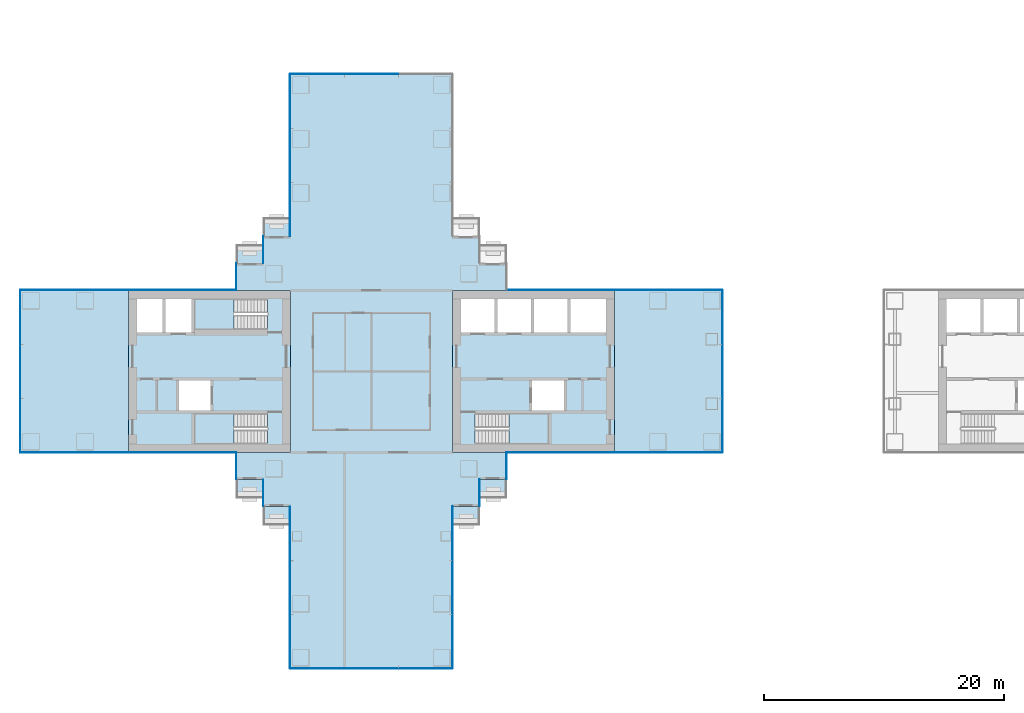
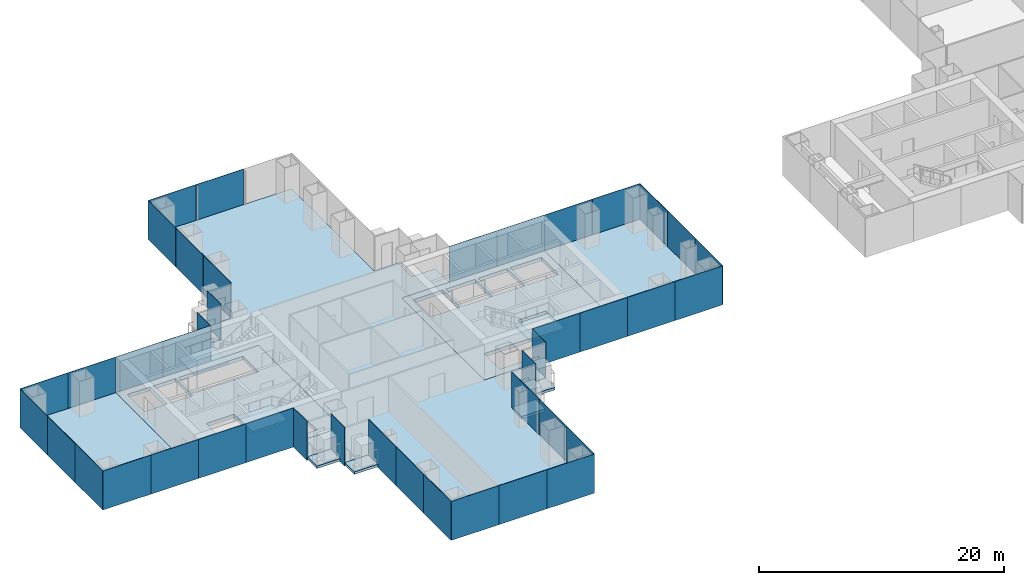
# One storey, part 11 of 21: 42 plates, 14 slabs, 21 elements without a shape of their own.
"""IFC4 building model written with IfcOpenShell, lengths in metres."""

from ifc_helpers import new_model, si_unit, direction, frame, origin, origin_2d, place, context, subcontext, project, spatial, polyline, rectangle, outline, extrude, material, layer, layer_set, type_object, element, aggregate, save


model = new_model("IFC4")

# Units and contexts
model_context = context("Model", 3, precision=1e-05, world=origin(), true_north=direction((0.0, 1.0)))
body_context = subcontext(model_context, "Body", "Model", "MODEL_VIEW")
ifc_project = project(units=[si_unit("LENGTHUNIT", "METRE"), si_unit("AREAUNIT", "SQUARE_METRE"), si_unit("VOLUMEUNIT", "CUBIC_METRE"), si_unit("PLANEANGLEUNIT", "RADIAN"), si_unit("MASSUNIT", "GRAM", prefix="KILO")], contexts=[model_context])

# Site, building, storey
site_placement = place(None, origin())
site = spatial("IfcSite", under=ifc_project, at=site_placement, CompositionType="ELEMENT")
building_placement = place(site_placement, origin())
building = spatial("IfcBuilding", under=site, at=building_placement, Name="Shamsa Quay Exchange Towers", CompositionType="ELEMENT")
storey_placement = place(building_placement, frame((0.0, 0.0, 65.39990234375)))
storey = spatial("IfcBuildingStorey", under=building, at=storey_placement, Name="L14", CompositionType="ELEMENT", Elevation=65.39990234375)

# Slabs
ifc_material_1 = material(Name="Precast concrete C40/50", Category="concrete")
ifc_layer_1 = layer(ifc_material_1, 0.25)
ifc_layer_set_1 = layer_set([ifc_layer_1], Name="BALCONY SLAB 250")
slab_type_1 = type_object("IfcSlabType", Name="BALCONY SLAB 250", PredefinedType="FLOOR", material=ifc_layer_set_1)
slab_1_placement = place(storey_placement, frame((0.0, 0.0, -0.25)))
element("IfcSlab", 1, at=slab_1_placement, inside=storey, type_object=slab_type_1, Name="Balcony T1-PKES L14", PredefinedType="FLOOR", context=body_context, shape_type="SweptSolid", body=[
    extrude(outline(polyline([(-24.7119140625, -9.0), (-22.5, -9.0), (-22.5, -10.550048828125), (-24.7119140625, -10.550048828125), (-24.7119140625, -9.0)])), origin(), (0.0, 0.0, 1.0), 0.25),
])
slab_2_placement = place(storey_placement, frame((0.0, 0.0, -0.25)))
element("IfcSlab", 2, at=slab_2_placement, inside=storey, type_object=slab_type_1, Name="Balcony T1-PKES L14", PredefinedType="FLOOR", context=body_context, shape_type="SweptSolid", body=[
    extrude(outline(polyline([(-26.9619140625, -11.25), (-24.75, -11.25), (-24.75, -12.800048828125), (-26.9619140625, -12.800048828125), (-26.9619140625, -11.25)])), origin(), (0.0, 0.0, 1.0), 0.25),
])
slab_3_placement = place(storey_placement, frame((0.0, 0.0, -0.25)))
element("IfcSlab", 3, at=slab_3_placement, inside=storey, type_object=slab_type_1, Name="Balcony T1-PKWN L14", PredefinedType="FLOOR", context=body_context, shape_type="SweptSolid", body=[
    extrude(outline(polyline([(-40.5380859375, 11.25), (-42.75, 11.25), (-42.75, 12.800048828125), (-40.5380859375, 12.800048828125), (-40.5380859375, 11.25)])), origin(), (0.0, 0.0, 1.0), 0.25),
])
slab_4_placement = place(storey_placement, frame((0.0, 0.0, -0.25)))
element("IfcSlab", 4, at=slab_4_placement, inside=storey, type_object=slab_type_1, Name="Balcony T1-PKWN L14", PredefinedType="FLOOR", context=body_context, shape_type="SweptSolid", body=[
    extrude(outline(polyline([(-42.7880859375, 9.0), (-45.0, 9.0), (-45.0, 10.550048828125), (-42.7880859375, 10.550048828125), (-42.7880859375, 9.0)])), origin(), (0.0, 0.0, 1.0), 0.25),
])
slab_5_placement = place(storey_placement, frame((0.0, 0.0, -0.25)))
element("IfcSlab", 5, at=slab_5_placement, inside=storey, type_object=slab_type_1, Name="Balcony T1-PKWS L14", PredefinedType="FLOOR", context=body_context, shape_type="SweptSolid", body=[
    extrude(outline(polyline([(-45.0, -9.0), (-42.7880859375, -9.0), (-42.7880859375, -10.550048828125), (-45.0, -10.550048828125), (-45.0, -9.0)])), origin(), (0.0, 0.0, 1.0), 0.25),
])
slab_6_placement = place(storey_placement, frame((0.0, 0.0, -0.25)))
element("IfcSlab", 6, at=slab_6_placement, inside=storey, type_object=slab_type_1, Name="Balcony T1-PKWS L14", PredefinedType="FLOOR", context=body_context, shape_type="SweptSolid", body=[
    extrude(outline(polyline([(-42.75, -11.25), (-40.5380859375, -11.25), (-40.5380859375, -12.800048828125), (-42.75, -12.800048828125), (-42.75, -11.25)])), origin(), (0.0, 0.0, 1.0), 0.25),
])
ifc_material_2 = material(Name="Concrete C50/60", Category="concrete")
ifc_layer_2 = layer(ifc_material_2, 0.35009765625)
ifc_layer_set_2 = layer_set([ifc_layer_2], Name="CORE FLOOR 350 C50/60")
slab_type_2 = type_object("IfcSlabType", Name="CORE FLOOR 350 C50/60", PredefinedType="FLOOR", material=ifc_layer_set_2)
slab_7_placement = place(storey_placement, frame((0.0, 0.0, -0.349853515625)))
element("IfcSlab", 7, at=slab_7_placement, inside=storey, type_object=slab_type_2, Name="Core floor T1A", PredefinedType="FLOOR", context=body_context, shape_type="SweptSolid", body=[
    extrude(outline(polyline([(-27.0, -6.75), (-13.5, -6.75), (-13.5, 6.75), (-27.0, 6.75), (-27.0, -6.75)]), holes=[polyline([(-25.099365234375, -6.050048828125), (-25.099365234375, -3.5), (-19.0, -3.5), (-19.0, -6.050048828125), (-25.099365234375, -6.050048828125)]), polyline([(-26.300048828125, 3.25), (-26.300048828125, 6.050048828125), (-23.5, 6.050048828125), (-23.5, 3.25), (-26.300048828125, 3.25)]), polyline([(-23.25, 3.25), (-23.25, 6.050048828125), (-20.449951171875, 6.050048828125), (-20.449951171875, 3.25), (-23.25, 3.25)]), polyline([(-20.199951171875, 3.25), (-20.199951171875, 6.050048828125), (-17.39990234375, 6.050048828125), (-17.39990234375, 3.25), (-20.199951171875, 3.25)]), polyline([(-17.14990234375, 3.25), (-17.14990234375, 6.050048828125), (-14.199951171875, 6.050048828125), (-14.199951171875, 3.25), (-17.14990234375, 3.25)]), polyline([(-20.35009765625, -3.25), (-20.35009765625, -0.75), (-17.699951171875, -0.75), (-17.699951171875, -3.25), (-20.35009765625, -3.25)])]), origin(), (0.0, 0.0, 1.0), 0.349853515625),
])
slab_8_placement = place(storey_placement, frame((0.0, 0.0, -0.349853515625)))
element("IfcSlab", 8, at=slab_8_placement, inside=storey, type_object=slab_type_2, Name="Core floor T1B", PredefinedType="FLOOR", context=body_context, shape_type="SweptSolid", body=[
    extrude(outline(polyline([(-40.5, -6.75), (-40.5, 6.75), (-54.0, 6.75), (-54.0, -6.75), (-40.5, -6.75)]), holes=[polyline([(-42.400634765625, -3.5), (-42.400634765625, -6.050048828125), (-48.5, -6.050048828125), (-48.5, -3.5), (-42.400634765625, -3.5)]), polyline([(-42.400634765625, 6.050048828125), (-42.400634765625, 3.5), (-48.5, 3.5), (-48.5, 6.050048828125), (-42.400634765625, 6.050048828125)]), polyline([(-48.75, 3.25), (-50.89990234375, 3.25), (-50.89990234375, 6.050048828125), (-48.75, 6.050048828125), (-48.75, 3.25)]), polyline([(-51.14990234375, 3.25), (-53.300048828125, 3.25), (-53.300048828125, 6.050048828125), (-51.14990234375, 6.050048828125), (-51.14990234375, 3.25)]), polyline([(-47.14990234375, -3.25), (-49.800048828125, -3.25), (-49.800048828125, -0.75), (-47.14990234375, -0.75), (-47.14990234375, -3.25)])]), origin(), (0.0, 0.0, 1.0), 0.349853515625),
])

# Stair, slab
ifc_material_3 = material(Name="Concrete C40/50", Category="concrete")
stair_type = type_object("IfcStairType", Name="EXIT STAIR 22 RISERS 177 MM", PredefinedType="HALF_TURN_STAIR", material=ifc_material_3)
stair_1_placement = place(storey_placement, origin())
stair_1 = element("IfcStair", 9, at=stair_1_placement, inside=storey, type_object=stair_type, Name="L14 Exit stair ST1", PredefinedType="HALF_TURN_STAIR")
ifc_layer_3 = layer(ifc_material_3, 0.199951171875)
ifc_layer_set_3 = layer_set([ifc_layer_3], Name="CORE STAIR LANDING")
slab_type_3 = type_object("IfcSlabType", Name="CORE STAIR LANDING", PredefinedType="LANDING", material=ifc_layer_set_3)
slab_9_placement = place(storey_placement, frame((0.0, 0.0, 1.75)))
slab_9 = element("IfcSlab", 10, at=slab_9_placement, type_object=slab_type_3, Name="ST1 landing 1", PredefinedType="LANDING", context=body_context, shape_type="SweptSolid", body=[
    extrude(outline(polyline([(-22.300048828125, -6.050048828125), (-19.0, -6.050048828125), (-19.0, -3.5), (-22.300048828125, -3.5), (-22.300048828125, -6.050048828125)])), origin(), (0.0, 0.0, 1.0), 0.2001953125),
])
aggregate(stair_1, [slab_9])

stair_2_placement = place(storey_placement, origin())
stair_2 = element("IfcStair", 11, at=stair_2_placement, inside=storey, type_object=stair_type, Name="L14 Exit stair ST2", PredefinedType="HALF_TURN_STAIR")
slab_10_placement = place(storey_placement, frame((0.0, 0.0, 1.75)))
slab_10 = element("IfcSlab", 12, at=slab_10_placement, type_object=slab_type_3, Name="ST2 landing 1", PredefinedType="LANDING", context=body_context, shape_type="SweptSolid", body=[
    extrude(outline(polyline([(-45.199951171875, -3.5), (-48.5, -3.5), (-48.5, -6.050048828125), (-45.199951171875, -6.050048828125), (-45.199951171875, -3.5)])), origin(), (0.0, 0.0, 1.0), 0.2001953125),
])
aggregate(stair_2, [slab_10])

stair_3_placement = place(storey_placement, origin())
stair_3 = element("IfcStair", 13, at=stair_3_placement, inside=storey, type_object=stair_type, Name="L14 Exit stair ST3", PredefinedType="HALF_TURN_STAIR")
slab_11_placement = place(storey_placement, frame((0.0, 0.0, 1.75)))
slab_11 = element("IfcSlab", 14, at=slab_11_placement, type_object=slab_type_3, Name="ST3 landing 1", PredefinedType="LANDING", context=body_context, shape_type="SweptSolid", body=[
    extrude(outline(polyline([(-45.199951171875, 6.050048828125), (-48.5, 6.050048828125), (-48.5, 3.5), (-45.199951171875, 3.5), (-45.199951171875, 6.050048828125)])), origin(), (0.0, 0.0, 1.0), 0.2001953125),
])
aggregate(stair_3, [slab_11])

# Curtain wall, plates
ifc_material_4 = material(Name="Aluminium EN AW-6063 T6, black anodised", Category="aluminium")
ifc_layer_4 = layer(ifc_material_4, 0.280029296875)
ifc_layer_set_4 = layer_set([ifc_layer_4], Name="CW-1 UNITISED VISION GLASS")
curtain_wall_type_1 = type_object("IfcCurtainWallType", Name="CW-1 UNITISED VISION GLASS", PredefinedType="NOTDEFINED", material=ifc_layer_set_4)
curtain_wall_1_placement = place(storey_placement, origin())
curtain_wall_1 = element("IfcCurtainWall", 15, at=curtain_wall_1_placement, inside=storey, type_object=curtain_wall_type_1, Name="CW1 T1-FLK-V-W L14", PredefinedType="NOTDEFINED")
ifc_material_5 = material(Name="Glass, laminated, dark tinted", Category="glass")
ifc_layer_5 = layer(ifc_material_5, 0.0400390625)
ifc_layer_set_5 = layer_set([ifc_layer_5], Name="CW-1 VISION GLASS 40")
plate_type_1 = type_object("IfcPlateType", Name="CW-1 VISION GLASS 40", PredefinedType="CURTAIN_PANEL", material=ifc_layer_set_5)
plate_1_placement = place(storey_placement, frame((-40.52001953125, -13.529052734375, -0.349853515625), z_axis=(0.0, 0.0, 1.0), x_axis=(0.0, -1.0, 0.0)))
plate_1 = element("IfcPlate", 16, at=plate_1_placement, type_object=plate_type_1, Name="CW1 glass panel", PredefinedType="CURTAIN_PANEL", context=body_context, shape_type="SweptSolid", body=[
    extrude(rectangle(XDim=4.482421875, YDim=0.0400390625, at=origin_2d()), origin(), (0.0, 0.0, 1.0), 3.89990234375),
])
plate_2_placement = place(storey_placement, frame((-40.52001953125, -18.01904296875, -0.349853515625), z_axis=(0.0, 0.0, 1.0), x_axis=(0.0, -1.0, 0.0)))
plate_2 = element("IfcPlate", 17, at=plate_2_placement, type_object=plate_type_1, Name="CW1 glass panel", PredefinedType="CURTAIN_PANEL", context=body_context, shape_type="SweptSolid", body=[
    extrude(rectangle(XDim=4.477294921875, YDim=0.0400390625, at=origin_2d()), origin(), (0.0, 0.0, 1.0), 3.89990234375),
])
plate_3_placement = place(storey_placement, frame((-40.52001953125, -22.5087890625, -0.349853515625), z_axis=(0.0, 0.0, 1.0), x_axis=(0.0, -1.0, 0.0)))
plate_3 = element("IfcPlate", 18, at=plate_3_placement, type_object=plate_type_1, Name="CW1 glass panel", PredefinedType="CURTAIN_PANEL", context=body_context, shape_type="SweptSolid", body=[
    extrude(rectangle(XDim=4.482421875, YDim=0.0400390625, at=origin_2d()), origin(), (0.0, 0.0, 1.0), 3.89990234375),
])
aggregate(curtain_wall_1, [plate_1, plate_2, plate_3])

curtain_wall_2_placement = place(storey_placement, origin())
curtain_wall_2 = element("IfcCurtainWall", 19, at=curtain_wall_2_placement, inside=storey, type_object=curtain_wall_type_1, Name="CW1 T1-END-V- L14", PredefinedType="NOTDEFINED")
plate_4_placement = place(storey_placement, frame((-38.25244140625, -24.77001953125, -0.349853515625)))
plate_4 = element("IfcPlate", 20, at=plate_4_placement, type_object=plate_type_1, Name="CW1 glass panel", PredefinedType="CURTAIN_PANEL", context=body_context, shape_type="SweptSolid", body=[
    extrude(rectangle(XDim=4.4951171875, YDim=0.0400390625, at=origin_2d()), origin(), (0.0, 0.0, 1.0), 3.89990234375),
])
plate_5_placement = place(storey_placement, frame((-33.75, -24.77001953125, -0.349853515625)))
plate_5 = element("IfcPlate", 21, at=plate_5_placement, type_object=plate_type_1, Name="CW1 glass panel", PredefinedType="CURTAIN_PANEL", context=body_context, shape_type="SweptSolid", body=[
    extrude(rectangle(XDim=4.489990234375, YDim=0.0400390625, at=origin_2d()), origin(), (0.0, 0.0, 1.0), 3.89990234375),
])
plate_6_placement = place(storey_placement, frame((-29.24755859375, -24.77001953125, -0.349853515625)))
plate_6 = element("IfcPlate", 22, at=plate_6_placement, type_object=plate_type_1, Name="CW1 glass panel", PredefinedType="CURTAIN_PANEL", context=body_context, shape_type="SweptSolid", body=[
    extrude(rectangle(XDim=4.4951171875, YDim=0.0400390625, at=origin_2d()), origin(), (0.0, 0.0, 1.0), 3.89990234375),
])
aggregate(curtain_wall_2, [plate_4, plate_5, plate_6])

curtain_wall_3_placement = place(storey_placement, origin())
curtain_wall_3 = element("IfcCurtainWall", 23, at=curtain_wall_3_placement, inside=storey, type_object=curtain_wall_type_1, Name="CW1 T1-FLK-V-E L14", PredefinedType="NOTDEFINED")
plate_7_placement = place(storey_placement, frame((-26.97998046875, -22.50244140625, -0.349853515625), z_axis=(0.0, 0.0, 1.0), x_axis=(0.0, 1.0, 0.0)))
plate_7 = element("IfcPlate", 24, at=plate_7_placement, type_object=plate_type_1, Name="CW1 glass panel", PredefinedType="CURTAIN_PANEL", context=body_context, shape_type="SweptSolid", body=[
    extrude(rectangle(XDim=4.4951171875, YDim=0.0400390625, at=origin_2d()), origin(), (0.0, 0.0, 1.0), 3.89990234375),
])
plate_8_placement = place(storey_placement, frame((-26.97998046875, -18.0, -0.349853515625), z_axis=(0.0, 0.0, 1.0), x_axis=(0.0, 1.0, 0.0)))
plate_8 = element("IfcPlate", 25, at=plate_8_placement, type_object=plate_type_1, Name="CW1 glass panel", PredefinedType="CURTAIN_PANEL", context=body_context, shape_type="SweptSolid", body=[
    extrude(rectangle(XDim=4.489990234375, YDim=0.0400390625, at=origin_2d()), origin(), (0.0, 0.0, 1.0), 3.89990234375),
])
plate_9_placement = place(storey_placement, frame((-26.97998046875, -13.49755859375, -0.349853515625), z_axis=(0.0, 0.0, 1.0), x_axis=(0.0, 1.0, 0.0)))
plate_9 = element("IfcPlate", 26, at=plate_9_placement, type_object=plate_type_1, Name="CW1 glass panel", PredefinedType="CURTAIN_PANEL", context=body_context, shape_type="SweptSolid", body=[
    extrude(rectangle(XDim=4.4951171875, YDim=0.0400390625, at=origin_2d()), origin(), (0.0, 0.0, 1.0), 3.89990234375),
])
aggregate(curtain_wall_3, [plate_7, plate_8, plate_9])

curtain_wall_4_placement = place(storey_placement, origin())
curtain_wall_4 = element("IfcCurtainWall", 27, at=curtain_wall_4_placement, inside=storey, type_object=curtain_wall_type_1, Name="CW1 T1-FLK-U+S L14", PredefinedType="NOTDEFINED")
plate_10_placement = place(storey_placement, frame((-11.25244140625, -6.77001953125, -0.349853515625)))
plate_10 = element("IfcPlate", 28, at=plate_10_placement, type_object=plate_type_1, Name="CW1 glass panel", PredefinedType="CURTAIN_PANEL", context=body_context, shape_type="SweptSolid", body=[
    extrude(rectangle(XDim=4.4951171875, YDim=0.0400390625, at=origin_2d()), origin(), (0.0, 0.0, 1.0), 3.89990234375),
])
plate_11_placement = place(storey_placement, frame((-6.74755859375, -6.77001953125, -0.349853515625)))
plate_11 = element("IfcPlate", 29, at=plate_11_placement, type_object=plate_type_1, Name="CW1 glass panel", PredefinedType="CURTAIN_PANEL", context=body_context, shape_type="SweptSolid", body=[
    extrude(rectangle(XDim=4.4951171875, YDim=0.0400390625, at=origin_2d()), origin(), (0.0, 0.0, 1.0), 3.89990234375),
])
aggregate(curtain_wall_4, [plate_10, plate_11])

curtain_wall_5_placement = place(storey_placement, origin())
curtain_wall_5 = element("IfcCurtainWall", 30, at=curtain_wall_5_placement, inside=storey, type_object=curtain_wall_type_1, Name="CW1 T1-END-U+ L14", PredefinedType="NOTDEFINED")
plate_12_placement = place(storey_placement, frame((-4.47998046875, -4.50244140625, -0.349853515625), z_axis=(0.0, 0.0, 1.0), x_axis=(0.0, 1.0, 0.0)))
plate_12 = element("IfcPlate", 31, at=plate_12_placement, type_object=plate_type_1, Name="CW1 glass panel", PredefinedType="CURTAIN_PANEL", context=body_context, shape_type="SweptSolid", body=[
    extrude(rectangle(XDim=4.4951171875, YDim=0.0400390625, at=origin_2d()), origin(), (0.0, 0.0, 1.0), 3.89990234375),
])
plate_13_placement = place(storey_placement, frame((-4.47998046875, 0.0, -0.349853515625), z_axis=(0.0, 0.0, 1.0), x_axis=(0.0, 1.0, 0.0)))
plate_13 = element("IfcPlate", 32, at=plate_13_placement, type_object=plate_type_1, Name="CW1 glass panel", PredefinedType="CURTAIN_PANEL", context=body_context, shape_type="SweptSolid", body=[
    extrude(rectangle(XDim=4.489990234375, YDim=0.0400390625, at=origin_2d()), origin(), (0.0, 0.0, 1.0), 3.89990234375),
])
plate_14_placement = place(storey_placement, frame((-4.47998046875, 4.50244140625, -0.349853515625), z_axis=(0.0, 0.0, 1.0), x_axis=(0.0, 1.0, 0.0)))
plate_14 = element("IfcPlate", 33, at=plate_14_placement, type_object=plate_type_1, Name="CW1 glass panel", PredefinedType="CURTAIN_PANEL", context=body_context, shape_type="SweptSolid", body=[
    extrude(rectangle(XDim=4.4951171875, YDim=0.0400390625, at=origin_2d()), origin(), (0.0, 0.0, 1.0), 3.89990234375),
])
aggregate(curtain_wall_5, [plate_12, plate_13, plate_14])

curtain_wall_6_placement = place(storey_placement, origin())
curtain_wall_6 = element("IfcCurtainWall", 34, at=curtain_wall_6_placement, inside=storey, type_object=curtain_wall_type_1, Name="CW1 T1-FLK-U+N L14", PredefinedType="NOTDEFINED")
plate_15_placement = place(storey_placement, frame((-6.74755859375, 6.77001953125, -0.349853515625), z_axis=(0.0, 0.0, 1.0), x_axis=(-1.0, 0.0, 0.0)))
plate_15 = element("IfcPlate", 35, at=plate_15_placement, type_object=plate_type_1, Name="CW1 glass panel", PredefinedType="CURTAIN_PANEL", context=body_context, shape_type="SweptSolid", body=[
    extrude(rectangle(XDim=4.4951171875, YDim=0.0400390625, at=origin_2d()), origin(), (0.0, 0.0, 1.0), 3.89990234375),
])
plate_16_placement = place(storey_placement, frame((-11.25244140625, 6.77001953125, -0.349853515625), z_axis=(0.0, 0.0, 1.0), x_axis=(-1.0, 0.0, 0.0)))
plate_16 = element("IfcPlate", 36, at=plate_16_placement, type_object=plate_type_1, Name="CW1 glass panel", PredefinedType="CURTAIN_PANEL", context=body_context, shape_type="SweptSolid", body=[
    extrude(rectangle(XDim=4.4951171875, YDim=0.0400390625, at=origin_2d()), origin(), (0.0, 0.0, 1.0), 3.89990234375),
])
aggregate(curtain_wall_6, [plate_15, plate_16])

curtain_wall_7_placement = place(storey_placement, origin())
curtain_wall_7 = element("IfcCurtainWall", 37, at=curtain_wall_7_placement, inside=storey, type_object=curtain_wall_type_1, Name="CW1 T1-END-V+ L14", PredefinedType="NOTDEFINED")
plate_17_placement = place(storey_placement, frame((-33.75, 24.77001953125, -0.349853515625), z_axis=(0.0, 0.0, 1.0), x_axis=(-1.0, 0.0, 0.0)))
plate_17 = element("IfcPlate", 38, at=plate_17_placement, type_object=plate_type_1, Name="CW1 glass panel", PredefinedType="CURTAIN_PANEL", context=body_context, shape_type="SweptSolid", body=[
    extrude(rectangle(XDim=4.489990234375, YDim=0.0400390625, at=origin_2d()), origin(), (0.0, 0.0, 1.0), 3.89990234375),
])
plate_18_placement = place(storey_placement, frame((-38.25244140625, 24.77001953125, -0.349853515625), z_axis=(0.0, 0.0, 1.0), x_axis=(-1.0, 0.0, 0.0)))
plate_18 = element("IfcPlate", 39, at=plate_18_placement, type_object=plate_type_1, Name="CW1 glass panel", PredefinedType="CURTAIN_PANEL", context=body_context, shape_type="SweptSolid", body=[
    extrude(rectangle(XDim=4.4951171875, YDim=0.0400390625, at=origin_2d()), origin(), (0.0, 0.0, 1.0), 3.89990234375),
])
aggregate(curtain_wall_7, [plate_17, plate_18])

curtain_wall_8_placement = place(storey_placement, origin())
curtain_wall_8 = element("IfcCurtainWall", 40, at=curtain_wall_8_placement, inside=storey, type_object=curtain_wall_type_1, Name="CW1 T1-FLK-V+W L14", PredefinedType="NOTDEFINED")
plate_19_placement = place(storey_placement, frame((-40.52001953125, 22.50244140625, -0.349853515625), z_axis=(0.0, 0.0, 1.0), x_axis=(0.0, -1.0, 0.0)))
plate_19 = element("IfcPlate", 41, at=plate_19_placement, type_object=plate_type_1, Name="CW1 glass panel", PredefinedType="CURTAIN_PANEL", context=body_context, shape_type="SweptSolid", body=[
    extrude(rectangle(XDim=4.4951171875, YDim=0.0400390625, at=origin_2d()), origin(), (0.0, 0.0, 1.0), 3.89990234375),
])
plate_20_placement = place(storey_placement, frame((-40.52001953125, 18.0, -0.349853515625), z_axis=(0.0, 0.0, 1.0), x_axis=(0.0, -1.0, 0.0)))
plate_20 = element("IfcPlate", 42, at=plate_20_placement, type_object=plate_type_1, Name="CW1 glass panel", PredefinedType="CURTAIN_PANEL", context=body_context, shape_type="SweptSolid", body=[
    extrude(rectangle(XDim=4.489990234375, YDim=0.0400390625, at=origin_2d()), origin(), (0.0, 0.0, 1.0), 3.89990234375),
])
plate_21_placement = place(storey_placement, frame((-40.52001953125, 13.49755859375, -0.349853515625), z_axis=(0.0, 0.0, 1.0), x_axis=(0.0, -1.0, 0.0)))
plate_21 = element("IfcPlate", 43, at=plate_21_placement, type_object=plate_type_1, Name="CW1 glass panel", PredefinedType="CURTAIN_PANEL", context=body_context, shape_type="SweptSolid", body=[
    extrude(rectangle(XDim=4.4951171875, YDim=0.0400390625, at=origin_2d()), origin(), (0.0, 0.0, 1.0), 3.89990234375),
])
aggregate(curtain_wall_8, [plate_19, plate_20, plate_21])

curtain_wall_9_placement = place(storey_placement, origin())
curtain_wall_9 = element("IfcCurtainWall", 44, at=curtain_wall_9_placement, inside=storey, type_object=curtain_wall_type_1, Name="CW1 T1-FLK-U-N L14", PredefinedType="NOTDEFINED")
plate_22_placement = place(storey_placement, frame((-56.24755859375, 6.77001953125, -0.349853515625), z_axis=(0.0, 0.0, 1.0), x_axis=(-1.0, 0.0, 0.0)))
plate_22 = element("IfcPlate", 45, at=plate_22_placement, type_object=plate_type_1, Name="CW1 glass panel", PredefinedType="CURTAIN_PANEL", context=body_context, shape_type="SweptSolid", body=[
    extrude(rectangle(XDim=4.4951171875, YDim=0.0400390625, at=origin_2d()), origin(), (0.0, 0.0, 1.0), 3.89990234375),
])
plate_23_placement = place(storey_placement, frame((-60.75244140625, 6.77001953125, -0.349853515625), z_axis=(0.0, 0.0, 1.0), x_axis=(-1.0, 0.0, 0.0)))
plate_23 = element("IfcPlate", 46, at=plate_23_placement, type_object=plate_type_1, Name="CW1 glass panel", PredefinedType="CURTAIN_PANEL", context=body_context, shape_type="SweptSolid", body=[
    extrude(rectangle(XDim=4.4951171875, YDim=0.0400390625, at=origin_2d()), origin(), (0.0, 0.0, 1.0), 3.89990234375),
])
aggregate(curtain_wall_9, [plate_22, plate_23])

curtain_wall_10_placement = place(storey_placement, origin())
curtain_wall_10 = element("IfcCurtainWall", 47, at=curtain_wall_10_placement, inside=storey, type_object=curtain_wall_type_1, Name="CW1 T1-END-U- L14", PredefinedType="NOTDEFINED")
plate_24_placement = place(storey_placement, frame((-63.02001953125, 4.50244140625, -0.349853515625), z_axis=(0.0, 0.0, 1.0), x_axis=(0.0, -1.0, 0.0)))
plate_24 = element("IfcPlate", 48, at=plate_24_placement, type_object=plate_type_1, Name="CW1 glass panel", PredefinedType="CURTAIN_PANEL", context=body_context, shape_type="SweptSolid", body=[
    extrude(rectangle(XDim=4.4951171875, YDim=0.0400390625, at=origin_2d()), origin(), (0.0, 0.0, 1.0), 3.89990234375),
])
plate_25_placement = place(storey_placement, frame((-63.02001953125, 0.0, -0.349853515625), z_axis=(0.0, 0.0, 1.0), x_axis=(0.0, -1.0, 0.0)))
plate_25 = element("IfcPlate", 49, at=plate_25_placement, type_object=plate_type_1, Name="CW1 glass panel", PredefinedType="CURTAIN_PANEL", context=body_context, shape_type="SweptSolid", body=[
    extrude(rectangle(XDim=4.489990234375, YDim=0.0400390625, at=origin_2d()), origin(), (0.0, 0.0, 1.0), 3.89990234375),
])
plate_26_placement = place(storey_placement, frame((-63.02001953125, -4.50244140625, -0.349853515625), z_axis=(0.0, 0.0, 1.0), x_axis=(0.0, -1.0, 0.0)))
plate_26 = element("IfcPlate", 50, at=plate_26_placement, type_object=plate_type_1, Name="CW1 glass panel", PredefinedType="CURTAIN_PANEL", context=body_context, shape_type="SweptSolid", body=[
    extrude(rectangle(XDim=4.4951171875, YDim=0.0400390625, at=origin_2d()), origin(), (0.0, 0.0, 1.0), 3.89990234375),
])
aggregate(curtain_wall_10, [plate_24, plate_25, plate_26])

curtain_wall_11_placement = place(storey_placement, origin())
curtain_wall_11 = element("IfcCurtainWall", 51, at=curtain_wall_11_placement, inside=storey, type_object=curtain_wall_type_1, Name="CW1 T1-FLK-U-S L14", PredefinedType="NOTDEFINED")
plate_27_placement = place(storey_placement, frame((-60.75244140625, -6.77001953125, -0.349853515625)))
plate_27 = element("IfcPlate", 52, at=plate_27_placement, type_object=plate_type_1, Name="CW1 glass panel", PredefinedType="CURTAIN_PANEL", context=body_context, shape_type="SweptSolid", body=[
    extrude(rectangle(XDim=4.4951171875, YDim=0.0400390625, at=origin_2d()), origin(), (0.0, 0.0, 1.0), 3.89990234375),
])
plate_28_placement = place(storey_placement, frame((-56.24755859375, -6.77001953125, -0.349853515625)))
plate_28 = element("IfcPlate", 53, at=plate_28_placement, type_object=plate_type_1, Name="CW1 glass panel", PredefinedType="CURTAIN_PANEL", context=body_context, shape_type="SweptSolid", body=[
    extrude(rectangle(XDim=4.4951171875, YDim=0.0400390625, at=origin_2d()), origin(), (0.0, 0.0, 1.0), 3.89990234375),
])
aggregate(curtain_wall_11, [plate_27, plate_28])

ifc_layer_6 = layer(ifc_material_4, 0.303955078125)
ifc_layer_set_6 = layer_set([ifc_layer_6], Name="CW-2 UNITISED OPAQUE SPANDREL GLASS")
curtain_wall_type_2 = type_object("IfcCurtainWallType", Name="CW-2 UNITISED OPAQUE SPANDREL GLASS", PredefinedType="NOTDEFINED", material=ifc_layer_set_6)
curtain_wall_12_placement = place(storey_placement, origin())
curtain_wall_12 = element("IfcCurtainWall", 54, at=curtain_wall_12_placement, inside=storey, type_object=curtain_wall_type_2, Name="CW2 T1-FLK-U+S L14", PredefinedType="NOTDEFINED")
ifc_material_6 = material(Name="Glass, laminated, black enamelled opaque", Category="glass")
ifc_layer_7 = layer(ifc_material_6, 0.0439453125)
ifc_layer_set_7 = layer_set([ifc_layer_7], Name="CW-2 SPANDREL GLASS 44")
plate_type_2 = type_object("IfcPlateType", Name="CW-2 SPANDREL GLASS 44", PredefinedType="CURTAIN_PANEL", material=ifc_layer_set_7)
plate_29_placement = place(storey_placement, frame((-20.22412109375, -6.77197265625, -0.349853515625)))
plate_29 = element("IfcPlate", 55, at=plate_29_placement, type_object=plate_type_2, Name="CW2 glass panel", PredefinedType="CURTAIN_PANEL", context=body_context, shape_type="SweptSolid", body=[
    extrude(rectangle(XDim=4.47607421875, YDim=0.0439453125, at=origin_2d()), origin(), (0.0, 0.0, 1.0), 3.89990234375),
])
plate_30_placement = place(storey_placement, frame((-15.738037109375, -6.77197265625, -0.349853515625)))
plate_30 = element("IfcPlate", 56, at=plate_30_placement, type_object=plate_type_2, Name="CW2 glass panel", PredefinedType="CURTAIN_PANEL", context=body_context, shape_type="SweptSolid", body=[
    extrude(rectangle(XDim=4.47607421875, YDim=0.0439453125, at=origin_2d()), origin(), (0.0, 0.0, 1.0), 3.89990234375),
])
aggregate(curtain_wall_12, [plate_29, plate_30])

curtain_wall_13_placement = place(storey_placement, origin())
curtain_wall_13 = element("IfcCurtainWall", 57, at=curtain_wall_13_placement, inside=storey, type_object=curtain_wall_type_2, Name="CW2 T1-FLK-U+N L14", PredefinedType="NOTDEFINED")
plate_31_placement = place(storey_placement, frame((-15.74755859375, 6.77197265625, -0.349853515625), z_axis=(0.0, 0.0, 1.0), x_axis=(-1.0, 0.0, 0.0)))
plate_31 = element("IfcPlate", 58, at=plate_31_placement, type_object=plate_type_2, Name="CW2 glass panel", PredefinedType="CURTAIN_PANEL", context=body_context, shape_type="SweptSolid", body=[
    extrude(rectangle(XDim=4.4951171875, YDim=0.0439453125, at=origin_2d()), origin(), (0.0, 0.0, 1.0), 3.89990234375),
])
plate_32_placement = place(storey_placement, frame((-20.25244140625, 6.77197265625, -0.349853515625), z_axis=(0.0, 0.0, 1.0), x_axis=(-1.0, 0.0, 0.0)))
plate_32 = element("IfcPlate", 59, at=plate_32_placement, type_object=plate_type_2, Name="CW2 glass panel", PredefinedType="CURTAIN_PANEL", context=body_context, shape_type="SweptSolid", body=[
    extrude(rectangle(XDim=4.4951171875, YDim=0.0439453125, at=origin_2d()), origin(), (0.0, 0.0, 1.0), 3.89990234375),
])
aggregate(curtain_wall_13, [plate_31, plate_32])

curtain_wall_14_placement = place(storey_placement, origin())
curtain_wall_14 = element("IfcCurtainWall", 60, at=curtain_wall_14_placement, inside=storey, type_object=curtain_wall_type_2, Name="CW2 T1-FLK-U-N L14", PredefinedType="NOTDEFINED")
plate_33_placement = place(storey_placement, frame((-47.27587890625, 6.77197265625, -0.349853515625), z_axis=(0.0, 0.0, 1.0), x_axis=(-1.0, 0.0, 0.0)))
plate_33 = element("IfcPlate", 61, at=plate_33_placement, type_object=plate_type_2, Name="CW2 glass panel", PredefinedType="CURTAIN_PANEL", context=body_context, shape_type="SweptSolid", body=[
    extrude(rectangle(XDim=4.47607421875, YDim=0.0439453125, at=origin_2d()), origin(), (0.0, 0.0, 1.0), 3.89990234375),
])
plate_34_placement = place(storey_placement, frame((-51.761962890625, 6.77197265625, -0.349853515625), z_axis=(0.0, 0.0, 1.0), x_axis=(-1.0, 0.0, 0.0)))
plate_34 = element("IfcPlate", 62, at=plate_34_placement, type_object=plate_type_2, Name="CW2 glass panel", PredefinedType="CURTAIN_PANEL", context=body_context, shape_type="SweptSolid", body=[
    extrude(rectangle(XDim=4.47607421875, YDim=0.0439453125, at=origin_2d()), origin(), (0.0, 0.0, 1.0), 3.89990234375),
])
aggregate(curtain_wall_14, [plate_33, plate_34])

curtain_wall_15_placement = place(storey_placement, origin())
curtain_wall_15 = element("IfcCurtainWall", 63, at=curtain_wall_15_placement, inside=storey, type_object=curtain_wall_type_2, Name="CW2 T1-FLK-U-S L14", PredefinedType="NOTDEFINED")
plate_35_placement = place(storey_placement, frame((-51.75244140625, -6.77197265625, -0.349853515625)))
plate_35 = element("IfcPlate", 64, at=plate_35_placement, type_object=plate_type_2, Name="CW2 glass panel", PredefinedType="CURTAIN_PANEL", context=body_context, shape_type="SweptSolid", body=[
    extrude(rectangle(XDim=4.4951171875, YDim=0.0439453125, at=origin_2d()), origin(), (0.0, 0.0, 1.0), 3.89990234375),
])
plate_36_placement = place(storey_placement, frame((-47.24755859375, -6.77197265625, -0.349853515625)))
plate_36 = element("IfcPlate", 65, at=plate_36_placement, type_object=plate_type_2, Name="CW2 glass panel", PredefinedType="CURTAIN_PANEL", context=body_context, shape_type="SweptSolid", body=[
    extrude(rectangle(XDim=4.4951171875, YDim=0.0439453125, at=origin_2d()), origin(), (0.0, 0.0, 1.0), 3.89990234375),
])
aggregate(curtain_wall_15, [plate_35, plate_36])

ifc_layer_8 = layer(ifc_material_4, 0.256103515625)
ifc_layer_set_8 = layer_set([ifc_layer_8], Name="CW-4 POCKET SERRATED GLAZING")
curtain_wall_type_3 = type_object("IfcCurtainWallType", Name="CW-4 POCKET SERRATED GLAZING", PredefinedType="NOTDEFINED", material=ifc_layer_set_8)
curtain_wall_16_placement = place(storey_placement, origin())
curtain_wall_16 = element("IfcCurtainWall", 66, at=curtain_wall_16_placement, inside=storey, type_object=curtain_wall_type_3, Name="CW4 PKWS L14", PredefinedType="NOTDEFINED")
ifc_layer_9 = layer(ifc_material_5, 0.035888671875)
ifc_layer_set_9 = layer_set([ifc_layer_9], Name="CW-4 POCKET GLASS 36")
plate_type_3 = type_object("IfcPlateType", Name="CW-4 POCKET GLASS 36", PredefinedType="CURTAIN_PANEL", material=ifc_layer_set_9)
plate_37_placement = place(storey_placement, frame((-42.76806640625, -10.14404296875, -0.349853515625), z_axis=(0.0, 0.0, 1.0), x_axis=(0.0, -1.0, 0.0)))
plate_37 = element("IfcPlate", 67, at=plate_37_placement, type_object=plate_type_3, Name="CW4 glass panel", PredefinedType="CURTAIN_PANEL", context=body_context, shape_type="SweptSolid", body=[
    extrude(rectangle(XDim=2.2119140625, YDim=0.035888671875, at=origin_2d()), origin(), (0.0, 0.0, 1.0), 3.89990234375),
])
plate_38_placement = place(storey_placement, frame((-45.01806640625, -7.89794921875, -0.349853515625), z_axis=(0.0, 0.0, 1.0), x_axis=(0.0, -1.0, 0.0)))
plate_38 = element("IfcPlate", 68, at=plate_38_placement, type_object=plate_type_3, Name="CW4 glass panel", PredefinedType="CURTAIN_PANEL", context=body_context, shape_type="SweptSolid", body=[
    extrude(rectangle(XDim=2.2041015625, YDim=0.035888671875, at=origin_2d()), origin(), (0.0, 0.0, 1.0), 3.89990234375),
])
aggregate(curtain_wall_16, [plate_37, plate_38])

curtain_wall_17_placement = place(storey_placement, origin())
curtain_wall_17 = element("IfcCurtainWall", 69, at=curtain_wall_17_placement, inside=storey, type_object=curtain_wall_type_3, Name="CW4 PKES L14", PredefinedType="NOTDEFINED")
plate_39_placement = place(storey_placement, frame((-24.73193359375, -10.125, -0.349853515625), z_axis=(0.0, 0.0, 1.0), x_axis=(0.0, 1.0, 0.0)))
plate_39 = element("IfcPlate", 70, at=plate_39_placement, type_object=plate_type_3, Name="CW4 glass panel", PredefinedType="CURTAIN_PANEL", context=body_context, shape_type="SweptSolid", body=[
    extrude(rectangle(XDim=2.25, YDim=0.035888671875, at=origin_2d()), origin(), (0.0, 0.0, 1.0), 3.89990234375),
])
plate_40_placement = place(storey_placement, frame((-22.48193359375, -7.875, -0.349853515625), z_axis=(0.0, 0.0, 1.0), x_axis=(0.0, 1.0, 0.0)))
plate_40 = element("IfcPlate", 71, at=plate_40_placement, type_object=plate_type_3, Name="CW4 glass panel", PredefinedType="CURTAIN_PANEL", context=body_context, shape_type="SweptSolid", body=[
    extrude(rectangle(XDim=2.25, YDim=0.035888671875, at=origin_2d()), origin(), (0.0, 0.0, 1.0), 3.89990234375),
])
aggregate(curtain_wall_17, [plate_39, plate_40])

curtain_wall_18_placement = place(storey_placement, origin())
curtain_wall_18 = element("IfcCurtainWall", 72, at=curtain_wall_18_placement, inside=storey, type_object=curtain_wall_type_3, Name="CW4 PKWN L14", PredefinedType="NOTDEFINED")
plate_41_placement = place(storey_placement, frame((-42.76806640625, 10.125, -0.349853515625), z_axis=(0.0, 0.0, 1.0), x_axis=(0.0, -1.0, 0.0)))
plate_41 = element("IfcPlate", 73, at=plate_41_placement, type_object=plate_type_3, Name="CW4 glass panel", PredefinedType="CURTAIN_PANEL", context=body_context, shape_type="SweptSolid", body=[
    extrude(rectangle(XDim=2.25, YDim=0.035888671875, at=origin_2d()), origin(), (0.0, 0.0, 1.0), 3.89990234375),
])
plate_42_placement = place(storey_placement, frame((-45.01806640625, 7.875, -0.349853515625), z_axis=(0.0, 0.0, 1.0), x_axis=(0.0, -1.0, 0.0)))
plate_42 = element("IfcPlate", 74, at=plate_42_placement, type_object=plate_type_3, Name="CW4 glass panel", PredefinedType="CURTAIN_PANEL", context=body_context, shape_type="SweptSolid", body=[
    extrude(rectangle(XDim=2.25, YDim=0.035888671875, at=origin_2d()), origin(), (0.0, 0.0, 1.0), 3.89990234375),
])
aggregate(curtain_wall_18, [plate_41, plate_42])

# Slabs
ifc_layer_10 = layer(ifc_material_3, 0.35009765625)
ifc_layer_set_10 = layer_set([ifc_layer_10], Name="Flat slab 350")
slab_type_4 = type_object("IfcSlabType", Name="Flat slab 350", PredefinedType="FLOOR", material=ifc_layer_set_10)
slab_12_placement = place(storey_placement, frame((0.0, 0.0, -0.349853515625)))
element("IfcSlab", 75, at=slab_12_placement, inside=storey, type_object=slab_type_4, Name="Flat slab T1 L14 1", PredefinedType="FLOOR", context=body_context, shape_type="SweptSolid", body=[
    extrude(outline(polyline([(-63.0, -6.75), (-54.0, -6.75), (-54.0, 6.75), (-63.0, 6.75), (-63.0, -6.75)])), origin(), (0.0, 0.0, 1.0), 0.349853515625),
])
slab_13_placement = place(storey_placement, frame((0.0, 0.0, -0.349853515625)))
element("IfcSlab", 76, at=slab_13_placement, inside=storey, type_object=slab_type_4, Name="Flat slab T1 L14 2", PredefinedType="FLOOR", context=body_context, shape_type="SweptSolid", body=[
    extrude(outline(polyline([(-22.5, -9.0), (-22.5, -6.75), (-27.0, -6.75), (-27.0, 6.75), (-22.5, 6.75), (-22.5, 9.0), (-24.75, 9.0), (-24.75, 11.25), (-27.0, 11.25), (-27.0, 24.75), (-40.5, 24.75), (-40.5, 11.25), (-42.75, 11.25), (-42.75, 9.0), (-45.0, 9.0), (-45.0, 6.75), (-40.5, 6.75), (-40.5, -6.75), (-45.0, -6.75), (-45.0, -9.0), (-42.75, -9.0), (-42.75, -11.25), (-40.5, -11.25), (-40.5, -24.75), (-27.0, -24.75), (-27.0, -11.25), (-24.75, -11.25), (-24.75, -9.0), (-22.5, -9.0)])), origin(), (0.0, 0.0, 1.0), 0.349853515625),
])
slab_14_placement = place(storey_placement, frame((0.0, 0.0, -0.349853515625)))
element("IfcSlab", 77, at=slab_14_placement, inside=storey, type_object=slab_type_4, Name="Flat slab T1 L14 3", PredefinedType="FLOOR", context=body_context, shape_type="SweptSolid", body=[
    extrude(outline(polyline([(-4.5, 6.75), (-13.5, 6.75), (-13.5, -6.75), (-4.5, -6.75), (-4.5, 6.75)])), origin(), (0.0, 0.0, 1.0), 0.349853515625),
])

save(model, "model.ifc")
